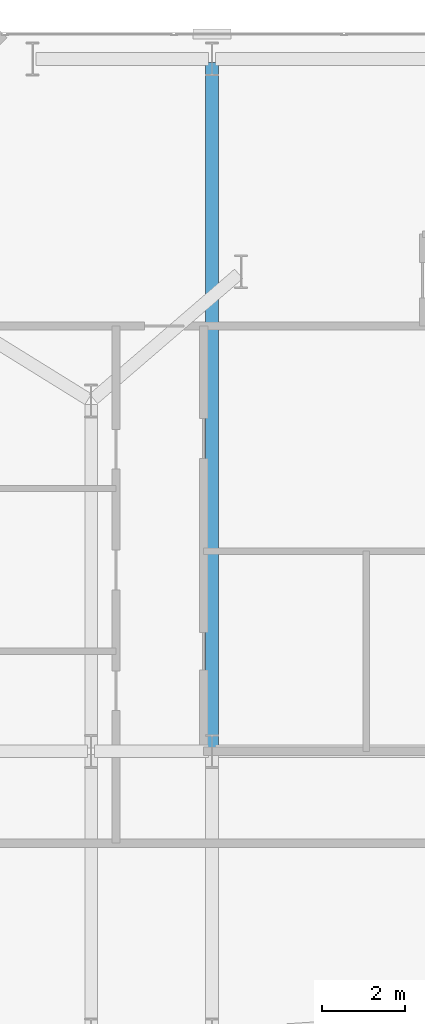
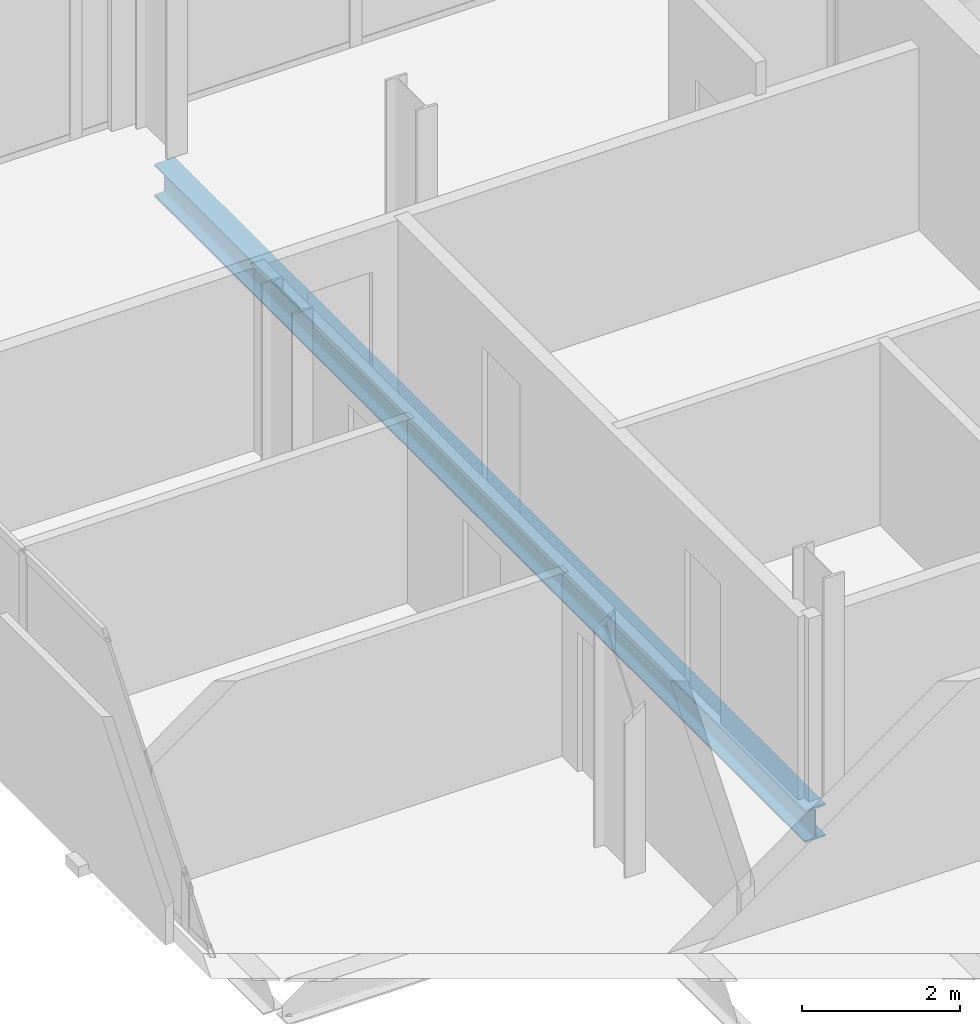
# One storey, part 19 of 33: 1 beam.
"""IFC4 building model written with IfcOpenShell, lengths in metres."""

from ifc_helpers import new_model, si_unit, direction, frame, origin, origin_2d, place, context, subcontext, project, spatial, i_section, extrude, material, material_profile, profile_set, type_object, element, save


model = new_model("IFC4")

# Units and contexts
model_context = context("Model", 3, precision=1e-05, world=origin(), true_north=direction((0.0, 1.0)))
body_context = subcontext(model_context, "Body", "Model", "MODEL_VIEW")
ifc_project = project(units=[si_unit("LENGTHUNIT", "METRE"), si_unit("AREAUNIT", "SQUARE_METRE"), si_unit("VOLUMEUNIT", "CUBIC_METRE"), si_unit("PLANEANGLEUNIT", "RADIAN"), si_unit("MASSUNIT", "GRAM", prefix="KILO")], contexts=[model_context])

# Site, building, storey
site_placement = place(None, origin())
site = spatial("IfcSite", under=ifc_project, at=site_placement, CompositionType="ELEMENT")
building_placement = place(site_placement, origin())
building = spatial("IfcBuilding", under=site, at=building_placement, Name="Catumbela Crestline Tower", CompositionType="ELEMENT")
storey_placement = place(building_placement, frame((0.0, 0.0, 43.8)))
storey = spatial("IfcBuildingStorey", under=building, at=storey_placement, Name="L10", CompositionType="ELEMENT", Elevation=43.8)

# Beam
ifc_material = material(Name="Structural steel S355J2", Category="steel")
ifc_material_profile = material_profile(ifc_material, i_section(OverallWidth=0.3, OverallDepth=0.5, WebThickness=0.0145, FlangeThickness=0.028, FilletRadius=0.027, at=origin_2d()), Name="HEB 500")
ifc_profile_set = profile_set([ifc_material_profile], Name="Structural steel S355J2")
beam_type = type_object("IfcBeamType", Name="BG-HEB500", PredefinedType="BEAM", material=ifc_profile_set)
beam_placement = place(storey_placement, frame((8.5, 30.88, -0.51), z_axis=(0.0, 1.0, 0.0), x_axis=(-1.0, 0.0, 0.0)))
element("IfcBeam", 1, at=beam_placement, inside=storey, type_object=beam_type, Name="L10 Beam BM-L10-SN30", PredefinedType="BEAM", context=body_context, shape_type="SweptSolid", body=[
    extrude(i_section(OverallWidth=0.3, OverallDepth=0.5, WebThickness=0.0145, FlangeThickness=0.028, FilletRadius=0.027, at=origin_2d()), origin(), (0.0, 0.0, 1.0), 16.44),
])

save(model, "model.ifc")
